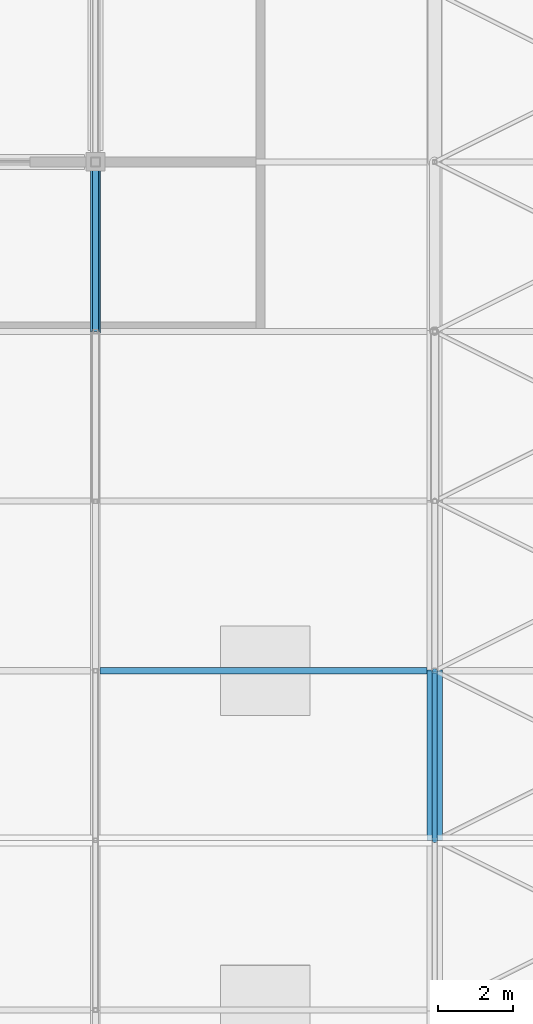
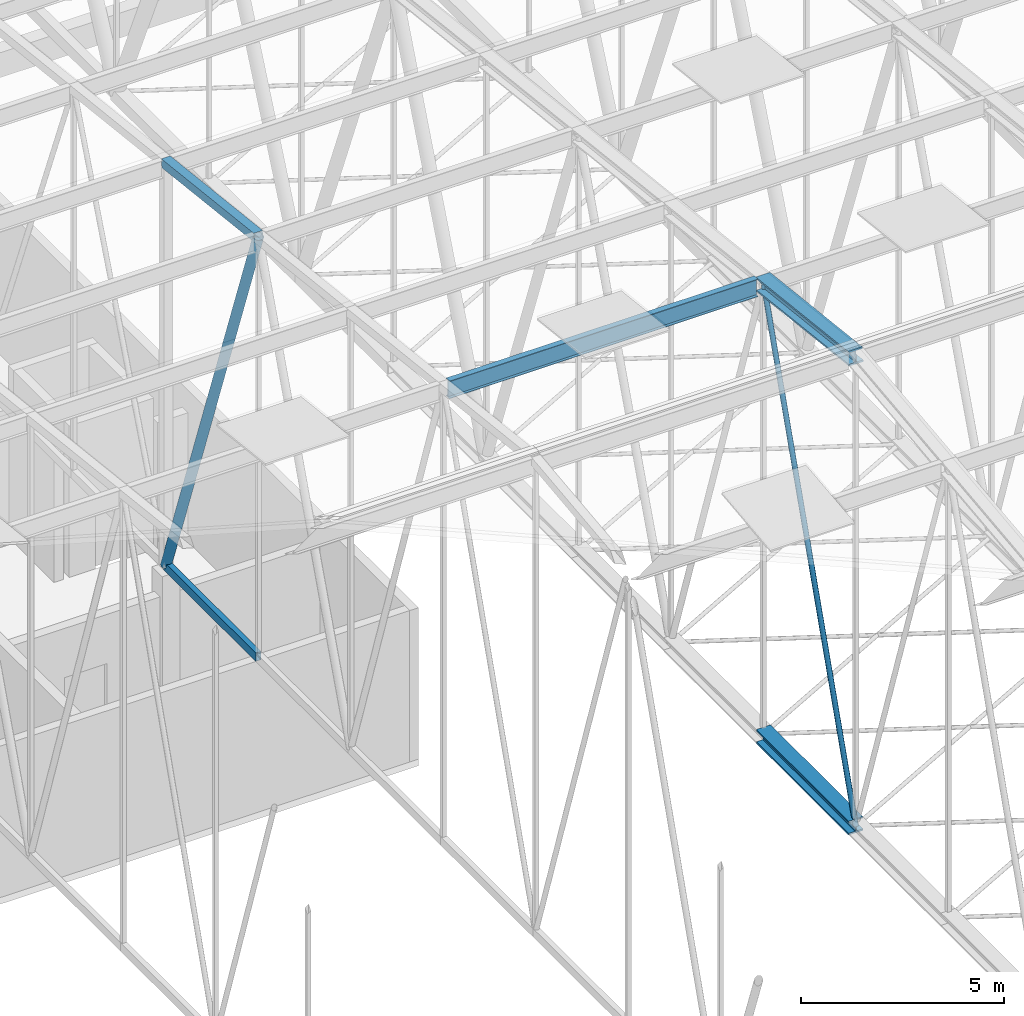
# One storey, part 199 of 500: 7 members.
"""IFC4 building model written with IfcOpenShell, lengths in metres."""

from ifc_helpers import new_model, si_unit, direction, frame, origin, origin_2d, place, context, subcontext, project, spatial, hollow_rectangle, hollow_circle, i_section, extrude, material, material_profile, profile_set, type_object, element, save


model = new_model("IFC4")

# Units and contexts
model_context = context("Model", 3, precision=1e-05, world=origin(), true_north=direction((0.0, 1.0)))
body_context = subcontext(model_context, "Body", "Model", "MODEL_VIEW")
ifc_project = project(units=[si_unit("LENGTHUNIT", "METRE"), si_unit("AREAUNIT", "SQUARE_METRE"), si_unit("VOLUMEUNIT", "CUBIC_METRE"), si_unit("PLANEANGLEUNIT", "RADIAN"), si_unit("MASSUNIT", "GRAM", prefix="KILO")], contexts=[model_context])

# Site, building, storey
site_placement = place(None, origin())
site = spatial("IfcSite", under=ifc_project, at=site_placement, CompositionType="ELEMENT")
building_placement = place(site_placement, origin())
building = spatial("IfcBuilding", under=site, at=building_placement, Name="Shirokan Park Arena", CompositionType="ELEMENT")
storey_placement = place(building_placement, frame((0.0, 0.0, 29.1201171875)))
storey = spatial("IfcBuildingStorey", under=building, at=storey_placement, Name="L06", CompositionType="ELEMENT", Elevation=29.1201171875)

# Members
ifc_material_1 = material(Name="Steel ASTM A500 Grade C", Category="steel")
ifc_material_profile_1 = material_profile(ifc_material_1, hollow_rectangle(XDim=0.152099609375, YDim=0.25390625, WallThickness=0.009521484375, at=origin_2d()), Name="HSS254X152.4X9.5")
ifc_profile_set_1 = profile_set([ifc_material_profile_1], Name="Steel ASTM A500 Grade C")
member_type_1 = type_object("IfcMemberType", Name="Bottom chord HSS254X152.4X9.5", PredefinedType="CHORD", material=ifc_profile_set_1)
member_1_placement = place(storey_placement, frame((36.39990234375, 68.25, 4.677001953125), z_axis=(0.0, 1.0, 0.0), x_axis=(-1.0, 0.0, 0.0)))
element("IfcMember", 1, at=member_1_placement, inside=storey, type_object=member_type_1, Name="Truss T05 bottom chord 18", PredefinedType="CHORD", context=body_context, shape_type="SweptSolid", body=[
    extrude(hollow_rectangle(XDim=0.152099609375, YDim=0.25390625, WallThickness=0.009521484375, at=origin_2d()), origin(), (0.0, 0.0, 1.0), 4.550048828125),
])
ifc_material_2 = material(Name="Steel ASTM A992", Category="steel")
ifc_material_profile_2 = material_profile(ifc_material_2, i_section(OverallWidth=0.406005859375, OverallDepth=0.4169921875, WebThickness=0.030029296875, FlangeThickness=0.048095703125, at=origin_2d()), Name="W360X382")
ifc_profile_set_2 = profile_set([ifc_material_profile_2], Name="Steel ASTM A992")
member_type_2 = type_object("IfcMemberType", Name="Bottom chord W360X382", PredefinedType="CHORD", material=ifc_profile_set_2)
member_2_placement = place(storey_placement, frame((45.5, 54.60009765625, 4.677001953125), z_axis=(0.0, 1.0, 0.0), x_axis=(-1.0, 0.0, 0.0)))
element("IfcMember", 2, at=member_2_placement, inside=storey, type_object=member_type_2, Name="Truss T06 bottom chord 15", PredefinedType="CHORD", context=body_context, shape_type="SweptSolid", body=[
    extrude(i_section(OverallWidth=0.406005859375, OverallDepth=0.4169921875, WebThickness=0.030029296875, FlangeThickness=0.048095703125, at=origin_2d()), origin(), (0.0, 0.0, 1.0), 4.5498046875),
])
ifc_material_profile_3 = material_profile(ifc_material_2, i_section(OverallWidth=0.166015625, OverallDepth=0.528076171875, WebThickness=0.009765625, FlangeThickness=0.013671875, at=origin_2d()), Name="W530X74")
ifc_profile_set_3 = profile_set([ifc_material_profile_3], Name="Steel ASTM A992")
member_type_3 = type_object("IfcMemberType", Name="Purlin W530X74", PredefinedType="PURLIN", material=ifc_profile_set_3)
member_3_placement = place(storey_placement, frame((36.527099609375, 59.14990234375, 18.205810546875), z_axis=(1.0, 0.0, 0.0), x_axis=(0.0, 1.0, 0.0)))
element("IfcMember", 3, at=member_3_placement, inside=storey, type_object=member_type_3, Name="Purlin 16 bay 5", PredefinedType="PURLIN", context=body_context, shape_type="SweptSolid", body=[
    extrude(i_section(OverallWidth=0.166015625, OverallDepth=0.528076171875, WebThickness=0.009765625, FlangeThickness=0.013671875, at=origin_2d()), origin(), (0.0, 0.0, 1.0), 8.77001953125),
])
ifc_material_profile_4 = material_profile(ifc_material_1, hollow_rectangle(XDim=0.25390625, YDim=0.25390625, WallThickness=0.009521484375, at=origin_2d()), Name="HSS254X254X9.5")
ifc_profile_set_4 = profile_set([ifc_material_profile_4], Name="Steel ASTM A500 Grade C")
member_type_4 = type_object("IfcMemberType", Name="Top chord HSS254X254X9.5", PredefinedType="CHORD", material=ifc_profile_set_4)
member_4_placement = place(storey_placement, frame((36.39990234375, 68.25, 17.302978515625), z_axis=(0.0, 0.993532328996, -0.113549598152), x_axis=(-1.0, 0.0, 0.0)))
element("IfcMember", 4, at=member_4_placement, inside=storey, type_object=member_type_4, Name="Truss T05 top chord 18", PredefinedType="CHORD", context=body_context, shape_type="SweptSolid", body=[
    extrude(hollow_rectangle(XDim=0.25390625, YDim=0.25390625, WallThickness=0.009521484375, at=origin_2d()), origin(), (0.0, 0.0, 1.0), 4.57958984375),
])
ifc_material_profile_5 = material_profile(ifc_material_2, i_section(OverallWidth=0.406005859375, OverallDepth=0.4169921875, WebThickness=0.030029296875, FlangeThickness=0.048095703125, at=origin_2d()), Name="W360X382")
ifc_profile_set_5 = profile_set([ifc_material_profile_5], Name="Steel ASTM A992")
member_type_5 = type_object("IfcMemberType", Name="Top chord W360X382", PredefinedType="CHORD", material=ifc_profile_set_5)
member_5_placement = place(storey_placement, frame((45.5, 54.60009765625, 18.781494140625), z_axis=(0.0, 0.993531641592, -0.11355561261), x_axis=(-1.0, 0.0, 0.0)))
element("IfcMember", 5, at=member_5_placement, inside=storey, type_object=member_type_5, Name="Truss T06 top chord 15", PredefinedType="CHORD", context=body_context, shape_type="SweptSolid", body=[
    extrude(i_section(OverallWidth=0.406005859375, OverallDepth=0.4169921875, WebThickness=0.030029296875, FlangeThickness=0.048095703125, at=origin_2d()), origin(), (0.0, 0.0, 1.0), 4.579345703125),
])
ifc_material_profile_6 = material_profile(ifc_material_1, hollow_circle(Radius=0.070556640625, WallThickness=0.006591796875, at=origin_2d()), Name="HSS141.3X6.6")
ifc_profile_set_6 = profile_set([ifc_material_profile_6], Name="Steel ASTM A500 Grade C")
member_type_6 = type_object("IfcMemberType", Name="Truss diagonal HSS141.3X6.6", PredefinedType="BRACE", material=ifc_profile_set_6)
member_6_placement = place(storey_placement, frame((45.5, 54.60009765625, 4.677001953125), z_axis=(0.0, 0.317587361237, 0.948229016632), x_axis=(-1.0, 0.0, 0.0)))
element("IfcMember", 6, at=member_6_placement, inside=storey, type_object=member_type_6, Name="Truss T06 diagonal 15", PredefinedType="BRACE", context=body_context, shape_type="SweptSolid", body=[
    extrude(hollow_circle(Radius=0.070556640625, WallThickness=0.006591796875, at=origin_2d()), origin(), (0.0, 0.0, 1.0), 14.326171875),
])
ifc_material_profile_7 = material_profile(ifc_material_1, hollow_circle(Radius=0.136474609375, WallThickness=0.009521484375, at=origin_2d()), Name="HSS273.1X9.5")
ifc_profile_set_7 = profile_set([ifc_material_profile_7], Name="Steel ASTM A500 Grade C")
member_type_7 = type_object("IfcMemberType", Name="Truss diagonal HSS273.1X9.5", PredefinedType="BRACE", material=ifc_profile_set_7)
member_7_placement = place(storey_placement, frame((36.39990234375, 68.25, 17.302978515625), z_axis=(0.0, 0.339029292845, -0.940775817394), x_axis=(-1.0, 0.0, 0.0)))
element("IfcMember", 7, at=member_7_placement, inside=storey, type_object=member_type_7, Name="Truss T05 diagonal 18", PredefinedType="BRACE", context=body_context, shape_type="SweptSolid", body=[
    extrude(hollow_circle(Radius=0.136474609375, WallThickness=0.009521484375, at=origin_2d()), origin(), (0.0, 0.0, 1.0), 13.4208984375),
])

save(model, "model.ifc")
